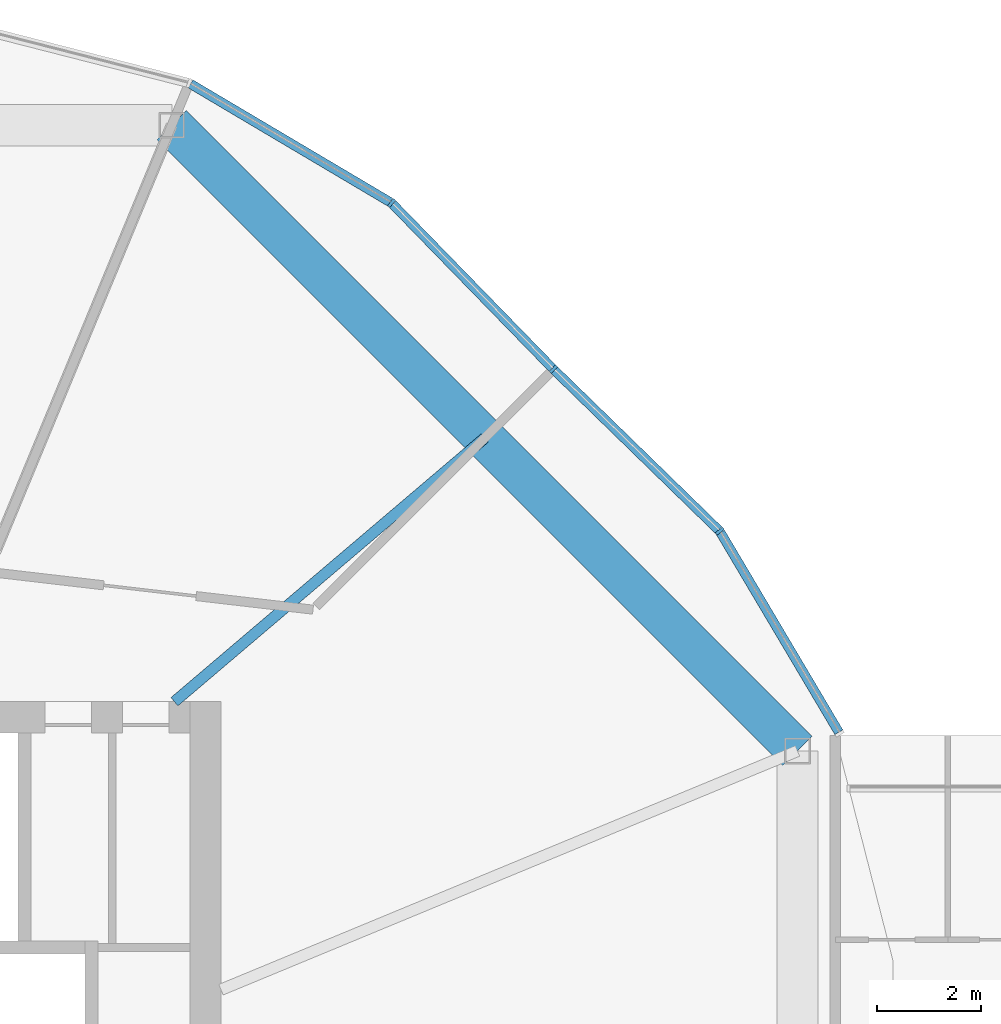
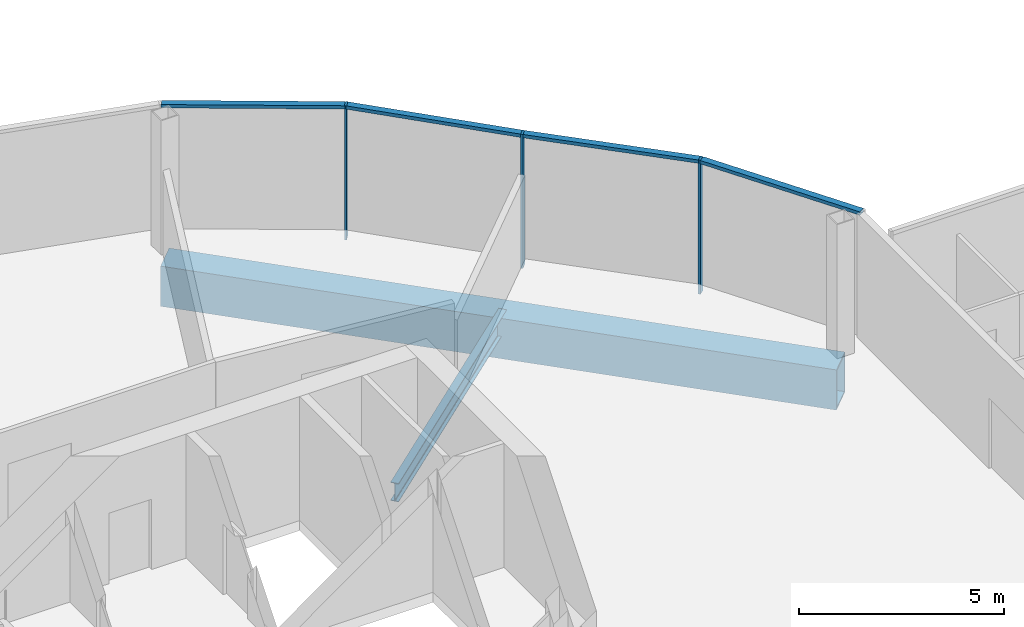
# One storey, part 10 of 25: 7 members, 2 beams, 2 elements without a shape of their own.
"""IFC4 building model written with IfcOpenShell, lengths in metres."""

from ifc_helpers import new_model, si_unit, direction, frame, origin, origin_2d, place, context, subcontext, project, spatial, rectangle, hollow_rectangle, i_section, extrude, material, material_profile, profile_set, type_object, element, aggregate, save


model = new_model("IFC4")

# Units and contexts
model_context = context("Model", 3, precision=1e-05, world=origin(), true_north=direction((0.0, 1.0)))
body_context = subcontext(model_context, "Body", "Model", "MODEL_VIEW")
ifc_project = project(units=[si_unit("LENGTHUNIT", "METRE"), si_unit("AREAUNIT", "SQUARE_METRE"), si_unit("VOLUMEUNIT", "CUBIC_METRE"), si_unit("PLANEANGLEUNIT", "RADIAN"), si_unit("MASSUNIT", "GRAM", prefix="KILO")], contexts=[model_context])

# Site, building, storey
site_placement = place(None, origin())
site = spatial("IfcSite", under=ifc_project, at=site_placement, CompositionType="ELEMENT")
building_placement = place(site_placement, origin())
building = spatial("IfcBuilding", under=site, at=building_placement, Name="Ogive Gate Towers", CompositionType="ELEMENT")
storey_placement = place(building_placement, frame((0.0, 0.0, 152.800048828125)))
storey = spatial("IfcBuildingStorey", under=building, at=storey_placement, Name="L36", CompositionType="ELEMENT", Elevation=152.800048828125)

# Beams
ifc_material_1 = material(Name="Steel SM460", Category="steel")
ifc_material_profile_1 = material_profile(ifc_material_1, hollow_rectangle(XDim=0.800048828125, YDim=1.199951171875, WallThickness=0.050048828125, at=origin_2d()), Name="BX 1200x800x50")
ifc_profile_set_1 = profile_set([ifc_material_profile_1], Name="Steel SM460")
beam_type_1 = type_object("IfcBeamType", Name="Edge girder BX 1200x800x50", PredefinedType="BEAM", material=ifc_profile_set_1)
beam_1_placement = place(storey_placement, frame((-15.360595703125, 8.549072265625, -0.900146484375), z_axis=(-0.707106781187, 0.707106781187, 0.0), x_axis=(-0.707106781187, -0.707106781187, 0.0)))
element("IfcBeam", 1, at=beam_1_placement, inside=storey, type_object=beam_type_1, Name="T1/L36/SBM021", PredefinedType="BEAM", context=body_context, shape_type="SweptSolid", body=[
    extrude(hollow_rectangle(XDim=0.800048828125, YDim=1.199951171875, WallThickness=0.050048828125, at=origin_2d()), origin(), (0.0, 0.0, 1.0), 17.098388671875),
])
ifc_material_2 = material(Name="Steel SM355", Category="steel")
ifc_material_profile_2 = material_profile(ifc_material_2, i_section(OverallWidth=0.2099609375, OverallDepth=0.550048828125, WebThickness=0.010986328125, FlangeThickness=0.01708984375, FilletRadius=0.02392578125, at=origin_2d()), Name="IPE 550")
ifc_profile_set_2 = profile_set([ifc_material_profile_2], Name="Steel SM355")
beam_type_2 = type_object("IfcBeamType", Name="Radial floor beam IPE 550", PredefinedType="BEAM", material=ifc_profile_set_2)
beam_2_placement = place(storey_placement, frame((-27.39990234375, 9.5, -0.574951171875), z_axis=(0.761988324045, 0.647590761222, 0.0), x_axis=(-0.647590761222, 0.761988324045, 0.0)))
element("IfcBeam", 2, at=beam_2_placement, inside=storey, type_object=beam_type_2, Name="T1/L36/SBM010", PredefinedType="BEAM", context=body_context, shape_type="SweptSolid", body=[
    extrude(i_section(OverallWidth=0.2099609375, OverallDepth=0.550048828125, WebThickness=0.010986328125, FlangeThickness=0.01708984375, FilletRadius=0.02392578125, at=origin_2d()), origin(), (0.0, 0.0, 1.0), 7.866455078125),
])

# Curtain wall, members
ifc_material_3 = material(Name="Pale metal aluminium", Category="aluminium")
curtain_wall_type = type_object("IfcCurtainWallType", Name="Tower unitised wall, high zone", PredefinedType="NOTDEFINED", material=ifc_material_3)
curtain_wall_1_placement = place(storey_placement, origin())
curtain_wall_1 = element("IfcCurtainWall", 3, at=curtain_wall_1_placement, inside=storey, type_object=curtain_wall_type, Name="CW2 T1 ECW01", PredefinedType="NOTDEFINED")
ifc_material_profile_3 = material_profile(ifc_material_3, rectangle(XDim=0.179931640625, YDim=0.06005859375, at=origin_2d()), Name="60 x 180 aluminium box")
ifc_profile_set_3 = profile_set([ifc_material_profile_3], Name="Pale metal aluminium")
member_type_1 = type_object("IfcMemberType", Name="Tower unitised wall, high zone mullion 60 x 180", PredefinedType="MULLION", material=ifc_profile_set_3)
member_1_placement = place(storey_placement, frame((-16.863037109375, 12.79541015625, -0.300048828125), z_axis=(0.0, 0.0, 1.0), x_axis=(0.78580292387, 0.618476971954, 0.0)))
member_1 = element("IfcMember", 4, at=member_1_placement, type_object=member_type_1, Name="CW2 mullion", PredefinedType="MULLION", context=body_context, shape_type="SweptSolid", body=[
    extrude(rectangle(XDim=0.179931640625, YDim=0.06005859375, at=origin_2d()), origin(), (0.0, 0.0, 1.0), 4.0),
])
member_2_placement = place(storey_placement, frame((-20.075927734375, 15.923828125, -0.300048828125), z_axis=(0.0, 0.0, 1.0), x_axis=(0.697652926882, 0.716435896374, 0.0)))
member_2 = element("IfcMember", 5, at=member_2_placement, type_object=member_type_1, Name="CW2 mullion", PredefinedType="MULLION", context=body_context, shape_type="SweptSolid", body=[
    extrude(rectangle(XDim=0.179931640625, YDim=0.06005859375, at=origin_2d()), origin(), (0.0, 0.0, 1.0), 4.0),
])

# Curtain wall, member
curtain_wall_2_placement = place(storey_placement, origin())
curtain_wall_2 = element("IfcCurtainWall", 6, at=curtain_wall_2_placement, inside=storey, type_object=curtain_wall_type, Name="CW2 T1 ECW02", PredefinedType="NOTDEFINED")
member_3_placement = place(storey_placement, frame((-23.20458984375, 19.136962890625, -0.300048828125), z_axis=(0.0, 0.0, 1.0), x_axis=(0.618476971954, 0.78580292387, 0.0)))
member_3 = element("IfcMember", 7, at=member_3_placement, type_object=member_type_1, Name="CW2 mullion", PredefinedType="MULLION", context=body_context, shape_type="SweptSolid", body=[
    extrude(rectangle(XDim=0.179931640625, YDim=0.06005859375, at=origin_2d()), origin(), (0.0, 0.0, 1.0), 4.0),
])

# Member
ifc_material_profile_4 = material_profile(ifc_material_3, rectangle(XDim=0.179931640625, YDim=0.10009765625, at=origin_2d()), Name="100 x 180 aluminium box")
ifc_profile_set_4 = profile_set([ifc_material_profile_4], Name="Pale metal aluminium")
member_type_2 = type_object("IfcMemberType", Name="Tower unitised wall, high zone transom 100 x 180", PredefinedType="USERDEFINED", material=ifc_profile_set_4)
member_4_placement = place(storey_placement, frame((-14.561279296875, 8.910888671875, 3.64990234375), z_axis=(-0.509766591489, 0.860312746739, 0.0), x_axis=(-0.860312746739, -0.509766591489, 0.0)))
member_4 = element("IfcMember", 8, at=member_4_placement, type_object=member_type_2, Name="CW2 transom", ObjectType="TRANSOM", PredefinedType="USERDEFINED", context=body_context, shape_type="SweptSolid", body=[
    extrude(rectangle(XDim=0.179931640625, YDim=0.10009765625, at=origin_2d()), origin(), (0.0, 0.0, 1.0), 4.486572265625),
])

member_5_placement = place(storey_placement, frame((-16.883544921875, 12.8154296875, 3.64990234375), z_axis=(-0.71644942086, 0.697639038006, 0.0), x_axis=(-0.697639038006, -0.71644942086, 0.0)))
member_5 = element("IfcMember", 9, at=member_5_placement, type_object=member_type_2, Name="CW2 transom", ObjectType="TRANSOM", PredefinedType="USERDEFINED", context=body_context, shape_type="SweptSolid", body=[
    extrude(rectangle(XDim=0.179931640625, YDim=0.10009765625, at=origin_2d()), origin(), (0.0, 0.0, 1.0), 4.42578125),
])

aggregate(curtain_wall_1, [member_1, member_4, member_2, member_5])

member_6_placement = place(storey_placement, frame((-20.096923828125, 15.945556640625, 3.64990234375), z_axis=(-0.697639038006, 0.71644942086, 0.0), x_axis=(-0.71644942086, -0.697639038006, 0.0)))
member_6 = element("IfcMember", 10, at=member_6_placement, type_object=member_type_2, Name="CW2 transom", ObjectType="TRANSOM", PredefinedType="USERDEFINED", context=body_context, shape_type="SweptSolid", body=[
    extrude(rectangle(XDim=0.179931640625, YDim=0.10009765625, at=origin_2d()), origin(), (0.0, 0.0, 1.0), 4.42578125),
])

member_7_placement = place(storey_placement, frame((-23.229248046875, 19.151611328125, 3.64990234375), z_axis=(-0.860312746739, 0.509766591489, 0.0), x_axis=(-0.509766591489, -0.860312746739, 0.0)))
member_7 = element("IfcMember", 11, at=member_7_placement, type_object=member_type_2, Name="CW2 transom", ObjectType="TRANSOM", PredefinedType="USERDEFINED", context=body_context, shape_type="SweptSolid", body=[
    extrude(rectangle(XDim=0.179931640625, YDim=0.10009765625, at=origin_2d()), origin(), (0.0, 0.0, 1.0), 4.486572265625),
])

aggregate(curtain_wall_2, [member_3, member_6, member_7])

save(model, "model.ifc")
